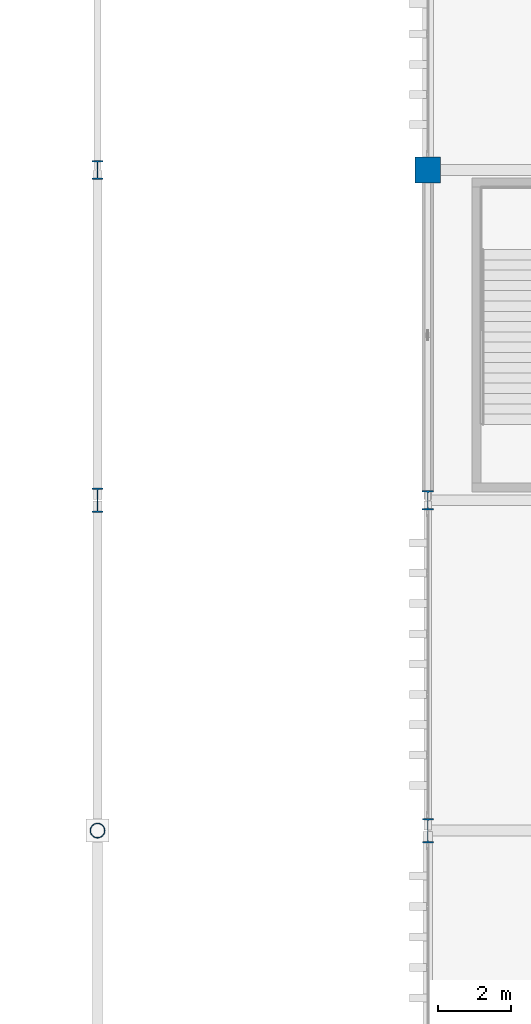
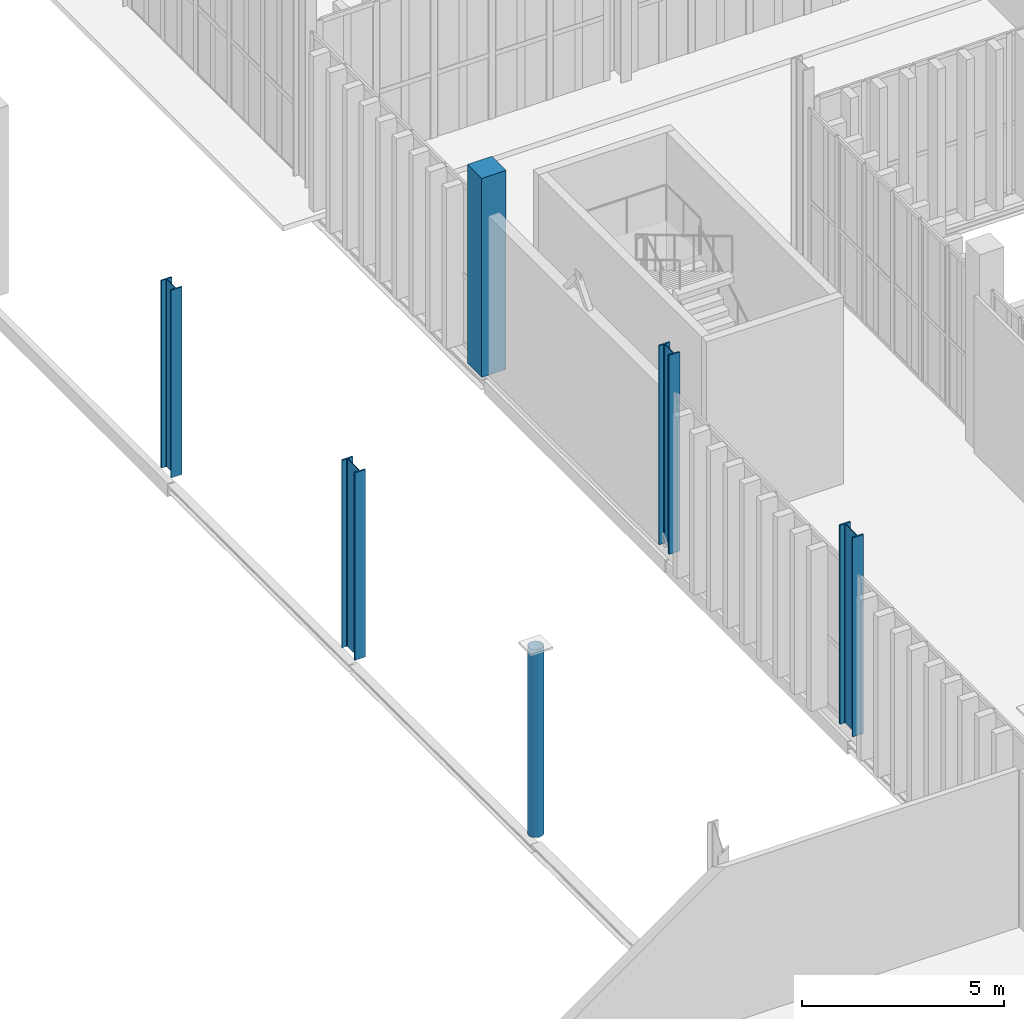
# One storey, part 10 of 237: 6 columns.
"""IFC4 building model written with IfcOpenShell, lengths in metres."""

from ifc_helpers import new_model, si_unit, direction, frame, origin, origin_2d, place, context, subcontext, project, spatial, rectangle, hollow_circle, i_section, extrude, material, material_profile, profile_set, type_object, element, save


model = new_model("IFC4")

# Units and contexts
model_context = context("Model", 3, precision=1e-05, world=origin(), true_north=direction((0.0, 1.0)))
body_context = subcontext(model_context, "Body", "Model", "MODEL_VIEW")
ifc_project = project(units=[si_unit("LENGTHUNIT", "METRE"), si_unit("AREAUNIT", "SQUARE_METRE"), si_unit("VOLUMEUNIT", "CUBIC_METRE"), si_unit("PLANEANGLEUNIT", "RADIAN"), si_unit("MASSUNIT", "GRAM", prefix="KILO")], contexts=[model_context])

# Site, building, storey
site_placement = place(None, origin())
site = spatial("IfcSite", under=ifc_project, at=site_placement, CompositionType="ELEMENT")
building_placement = place(site_placement, origin())
building = spatial("IfcBuilding", under=site, at=building_placement, Name="Barlavento Convention Centre", CompositionType="ELEMENT")
storey_placement = place(building_placement, frame((0.0, 0.0, 12.0)))
storey = spatial("IfcBuildingStorey", under=building, at=storey_placement, Name="L02", CompositionType="ELEMENT", Elevation=12.0)

# Columns
ifc_material_1 = material(Name="Steel S355", Category="steel")
ifc_material_profile_1 = material_profile(ifc_material_1, hollow_circle(Radius=0.203125, WallThickness=0.01611328125, at=origin_2d()), Name="CHS 406.4x16.0")
ifc_profile_set_1 = profile_set([ifc_material_profile_1], Name="Steel S355")
column_type_1 = type_object("IfcColumnType", Name="STR-COL-CHS406", PredefinedType="COLUMN", material=ifc_profile_set_1)
column_1_placement = place(storey_placement, frame((117.0, 72.0, 0.0), z_axis=(0.0, 0.0, 1.0), x_axis=(1.0, 0.0, 0.0)))
element("IfcColumn", 1, at=column_1_placement, inside=storey, type_object=column_type_1, Name="L02 column SC14", PredefinedType="COLUMN", context=body_context, shape_type="SweptSolid", body=[
    extrude(hollow_circle(Radius=0.203125, WallThickness=0.01611328125, at=origin_2d()), origin(), (0.0, 0.0, 1.0), 5.655029296875),
])
ifc_material_profile_2 = material_profile(ifc_material_1, i_section(OverallWidth=0.305908203125, OverallDepth=0.52392578125, WebThickness=0.02099609375, FlangeThickness=0.0400390625, FilletRadius=0.027099609375, at=origin_2d()), Name="HEM 500")
ifc_profile_set_2 = profile_set([ifc_material_profile_2], Name="Steel S355")
column_type_2 = type_object("IfcColumnType", Name="STR-COL-HEM500", PredefinedType="COLUMN", material=ifc_profile_set_2)
column_2_placement = place(storey_placement, frame((117.0, 90.0, 0.0), z_axis=(0.0, 0.0, 1.0), x_axis=(1.0, 0.0, 0.0)))
element("IfcColumn", 2, at=column_2_placement, inside=storey, type_object=column_type_2, Name="L02 column SC07", PredefinedType="COLUMN", context=body_context, shape_type="SweptSolid", body=[
    extrude(i_section(OverallWidth=0.305908203125, OverallDepth=0.52392578125, WebThickness=0.02099609375, FlangeThickness=0.0400390625, FilletRadius=0.027099609375, at=origin_2d()), origin(), (0.0, 0.0, 1.0), 5.655029296875),
])
column_3_placement = place(storey_placement, frame((126.0, 81.0, 0.0), z_axis=(0.0, 0.0, 1.0), x_axis=(1.0, 0.0, 0.0)))
element("IfcColumn", 3, at=column_3_placement, inside=storey, type_object=column_type_2, Name="L02 column SC07", PredefinedType="COLUMN", context=body_context, shape_type="SweptSolid", body=[
    extrude(i_section(OverallWidth=0.305908203125, OverallDepth=0.52392578125, WebThickness=0.02099609375, FlangeThickness=0.0400390625, FilletRadius=0.027099609375, at=origin_2d()), origin(), (0.0, 0.0, 1.0), 6.0),
])
ifc_material_2 = material(Name="Steel S460", Category="steel")
ifc_material_profile_3 = material_profile(ifc_material_2, i_section(OverallWidth=0.304931640625, OverallDepth=0.66796875, WebThickness=0.02099609375, FlangeThickness=0.0400390625, FilletRadius=0.027099609375, at=origin_2d()), Name="HEM 650")
ifc_profile_set_3 = profile_set([ifc_material_profile_3], Name="Steel S460")
column_type_3 = type_object("IfcColumnType", Name="STR-COL-HEM650", PredefinedType="COLUMN", material=ifc_profile_set_3)
column_4_placement = place(storey_placement, frame((117.0, 81.0, 0.0), z_axis=(0.0, 0.0, 1.0), x_axis=(1.0, 0.0, 0.0)))
element("IfcColumn", 4, at=column_4_placement, inside=storey, type_object=column_type_3, Name="L02 column SC04", PredefinedType="COLUMN", context=body_context, shape_type="SweptSolid", body=[
    extrude(i_section(OverallWidth=0.304931640625, OverallDepth=0.66796875, WebThickness=0.02099609375, FlangeThickness=0.0400390625, FilletRadius=0.027099609375, at=origin_2d()), origin(), (0.0, 0.0, 1.0), 5.655029296875),
])
column_5_placement = place(storey_placement, frame((126.0, 72.0, 0.0), z_axis=(0.0, 0.0, 1.0), x_axis=(1.0, 0.0, 0.0)))
element("IfcColumn", 5, at=column_5_placement, inside=storey, type_object=column_type_3, Name="L02 column SC04", PredefinedType="COLUMN", context=body_context, shape_type="SweptSolid", body=[
    extrude(i_section(OverallWidth=0.304931640625, OverallDepth=0.66796875, WebThickness=0.02099609375, FlangeThickness=0.0400390625, FilletRadius=0.027099609375, at=origin_2d()), origin(), (0.0, 0.0, 1.0), 6.0),
])
ifc_material_3 = material(Name="Concrete C40/50", Category="concrete")
ifc_material_profile_4 = material_profile(ifc_material_3, rectangle(XDim=0.699951171875, YDim=0.699951171875, at=origin_2d()), Name="RC 700x700")
ifc_profile_set_4 = profile_set([ifc_material_profile_4], Name="Concrete C40/50")
column_type_4 = type_object("IfcColumnType", Name="STR-COL-RC700", PredefinedType="COLUMN", material=ifc_profile_set_4)
column_6_placement = place(storey_placement, frame((126.0, 90.0, 0.0), z_axis=(0.0, 0.0, 1.0), x_axis=(1.0, 0.0, 0.0)))
element("IfcColumn", 6, at=column_6_placement, inside=storey, type_object=column_type_4, Name="L02 column CC06", PredefinedType="COLUMN", context=body_context, shape_type="SweptSolid", body=[
    extrude(rectangle(XDim=0.699951171875, YDim=0.699951171875, at=origin_2d()), origin(), (0.0, 0.0, 1.0), 6.0),
])

save(model, "model.ifc")
